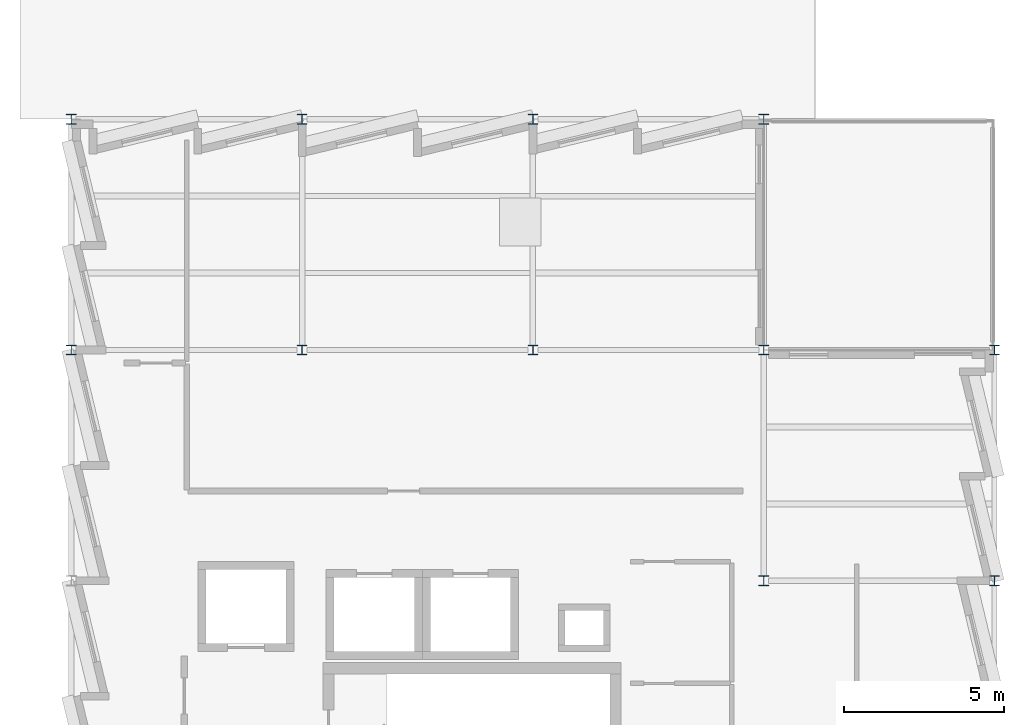
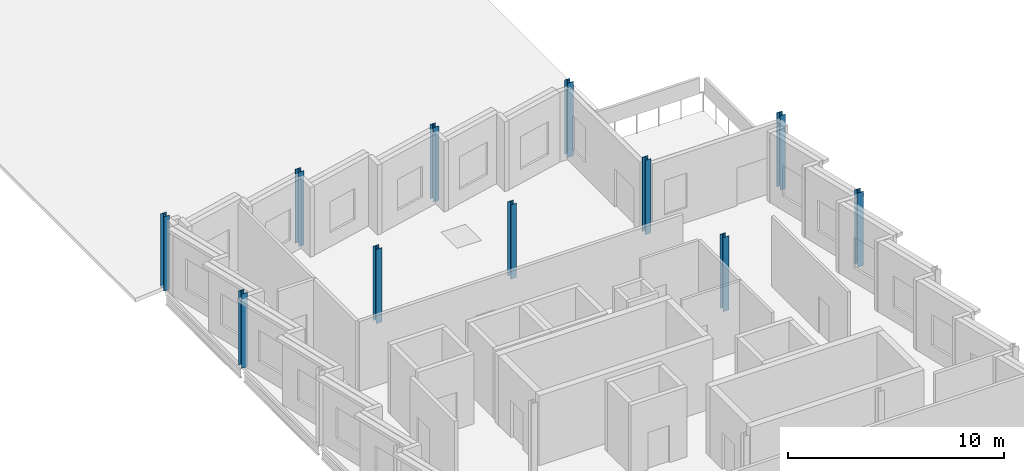
# One storey, part 2 of 9: 11 columns.
"""IFC4 building model written with IfcOpenShell, lengths in metres."""

from ifc_helpers import new_model, si_unit, direction, frame, origin, origin_2d, place, context, subcontext, project, spatial, i_section, extrude, material, material_profile, profile_set, type_object, element, save


model = new_model("IFC4")

# Units and contexts
model_context = context("Model", 3, precision=1e-05, world=origin(), true_north=direction((0.0, 1.0)))
body_context = subcontext(model_context, "Body", "Model", "MODEL_VIEW")
ifc_project = project(units=[si_unit("LENGTHUNIT", "METRE"), si_unit("AREAUNIT", "SQUARE_METRE"), si_unit("VOLUMEUNIT", "CUBIC_METRE"), si_unit("PLANEANGLEUNIT", "RADIAN"), si_unit("MASSUNIT", "GRAM", prefix="KILO")], contexts=[model_context])

# Site, building, storey
site_placement = place(None, origin())
site = spatial("IfcSite", under=ifc_project, at=site_placement, CompositionType="ELEMENT")
building_placement = place(site_placement, origin())
building = spatial("IfcBuilding", under=site, at=building_placement, Name="Kalmorath City Hall", CompositionType="ELEMENT")
storey_placement = place(building_placement, frame((0.0, 0.0, 31.050048828125)))
storey = spatial("IfcBuildingStorey", under=building, at=storey_placement, Name="L07", CompositionType="ELEMENT", Elevation=31.050048828125)

# Columns
ifc_material = material(Name="Steel ASTM A992 Grade 50", Category="steel")
ifc_material_profile = material_profile(ifc_material, i_section(OverallWidth=0.304931640625, OverallDepth=0.30810546875, WebThickness=0.010009765625, FlangeThickness=0.015380859375, FilletRadius=0.014892578125, at=origin_2d()), Name="W12X65")
ifc_profile_set = profile_set([ifc_material_profile], Name="Steel ASTM A992 Grade 50")
column_type = type_object("IfcColumnType", Name="Steel wide-flange column W12X65", PredefinedType="COLUMN", material=ifc_profile_set)
for number, where, z_axis, x_axis, name in (
    (1, (0.0, 28.800048828125, 0.0), (0.0, 0.0, 1.0), (1.0, 0.0, 0.0), "L07 column SC5 (1/5)"),
    (2, (0.0, 36.0, 0.0), (0.0, 0.0, 1.0), (1.0, 0.0, 0.0), "L07 column SC5 (1/6)"),
    (3, (7.199951171875, 28.800048828125, 0.0), (0.0, 0.0, 1.0), (1.0, 0.0, 0.0), "L07 column SC5 (2/5)"),
    (4, (7.199951171875, 36.0, 0.0), (0.0, 0.0, 1.0), (1.0, 0.0, 0.0), "L07 column SC5 (2/6)"),
    (5, (14.39990234375, 28.800048828125, 0.0), (0.0, 0.0, 1.0), (1.0, 0.0, 0.0), "L07 column SC5 (3/5)"),
    (6, (14.39990234375, 36.0, 0.0), (0.0, 0.0, 1.0), (1.0, 0.0, 0.0), "L07 column SC5 (3/6)"),
    (7, (21.60009765625, 21.60009765625, 0.0), (0.0, 0.0, 1.0), (1.0, 0.0, 0.0), "L07 column SC5 (4/4)"),
    (8, (21.60009765625, 28.800048828125, 0.0), (0.0, 0.0, 1.0), (1.0, 0.0, 0.0), "L07 column SC5 (4/5)"),
    (9, (21.60009765625, 36.0, 0.0), (0.0, 0.0, 1.0), (1.0, 0.0, 0.0), "L07 column SC5 (4/6)"),
    (10, (28.800048828125, 21.60009765625, 0.0), (0.0, 0.0, 1.0), (1.0, 0.0, 0.0), "L07 column SC5 (5/4)"),
    (11, (28.800048828125, 28.800048828125, 0.0), (0.0, 0.0, 1.0), (1.0, 0.0, 0.0), "L07 column SC5 (5/5)"),
):
    element("IfcColumn", number, at=place(storey_placement, frame(where, z_axis=z_axis, x_axis=x_axis)), inside=storey, type_object=column_type, Name=name, PredefinedType="COLUMN", context=body_context, shape_type="SweptSolid", body=[
        extrude(i_section(OverallWidth=0.304931640625, OverallDepth=0.30810546875, WebThickness=0.010009765625, FlangeThickness=0.015380859375, FilletRadius=0.014892578125, at=origin_2d()), origin(), (0.0, 0.0, 1.0), 4.199951171875),
    ])

save(model, "model.ifc")
